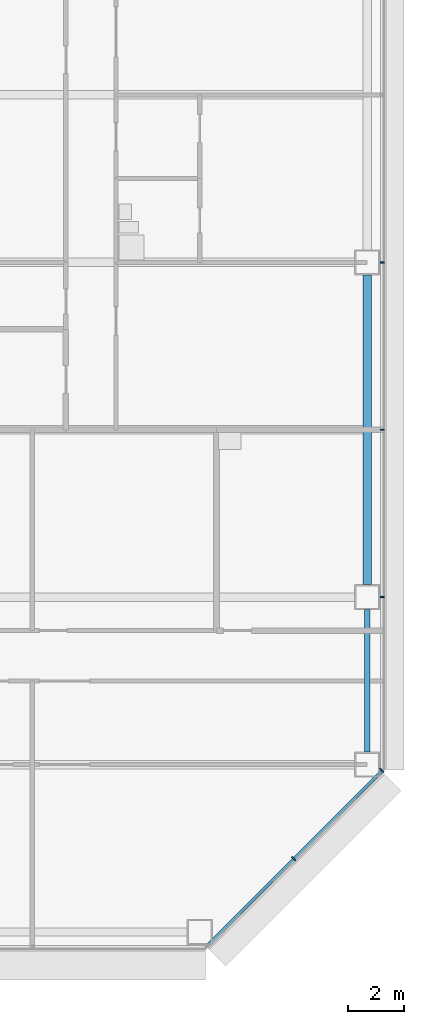
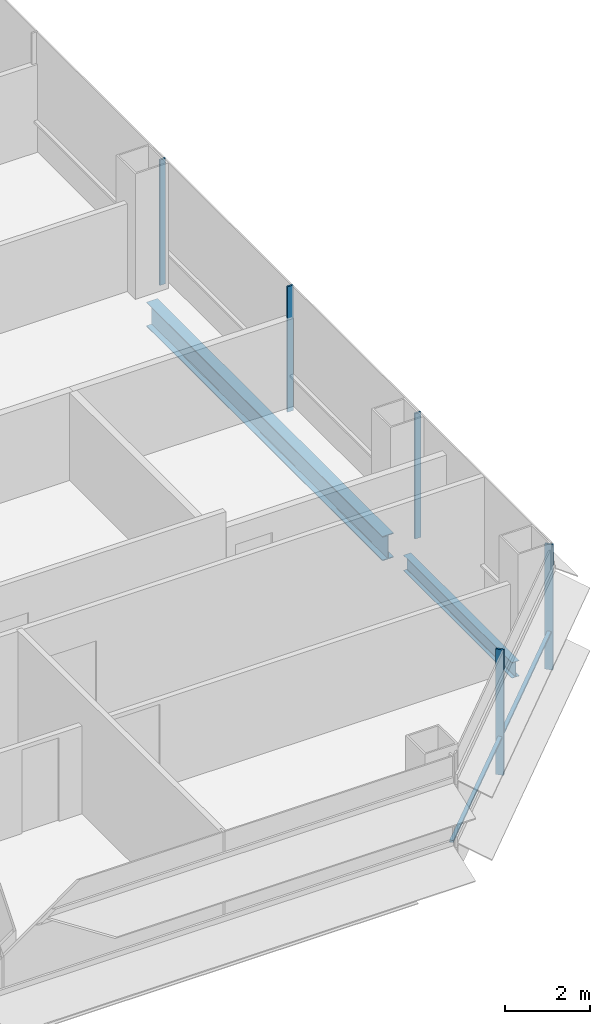
# One storey, part 16 of 27: 6 members, 2 beams, 2 elements without a shape of their own.
"""IFC4 building model written with IfcOpenShell, lengths in metres."""

from ifc_helpers import new_model, si_unit, direction, frame, origin, origin_2d, place, context, subcontext, project, spatial, rectangle, i_section, extrude, material, material_profile, profile_set, type_object, element, aggregate, save


model = new_model("IFC4")

# Units and contexts
model_context = context("Model", 3, precision=1e-05, world=origin(), true_north=direction((0.0, 1.0)))
body_context = subcontext(model_context, "Body", "Model", "MODEL_VIEW")
ifc_project = project(units=[si_unit("LENGTHUNIT", "METRE"), si_unit("AREAUNIT", "SQUARE_METRE"), si_unit("VOLUMEUNIT", "CUBIC_METRE"), si_unit("PLANEANGLEUNIT", "RADIAN"), si_unit("MASSUNIT", "GRAM", prefix="KILO")], contexts=[model_context])

# Site, building, storey
site_placement = place(None, origin())
site = spatial("IfcSite", under=ifc_project, at=site_placement, CompositionType="ELEMENT")
building_placement = place(site_placement, origin())
building = spatial("IfcBuilding", under=site, at=building_placement, Name="Sorahane Residences", CompositionType="ELEMENT")
storey_placement = place(building_placement, frame((0.0, 0.0, 57.0)))
storey = spatial("IfcBuildingStorey", under=building, at=storey_placement, Name="L10", CompositionType="ELEMENT", Elevation=57.0)

# Curtain wall, members
ifc_material_1 = material(Name="Dark low-e glass and black anodised aluminium", Category="aluminium")
curtain_wall_type_1 = type_object("IfcCurtainWallType", Name="Curtain wall CW-1 Typical unitised wall", PredefinedType="NOTDEFINED", material=ifc_material_1)
curtain_wall_1_placement = place(storey_placement, origin())
curtain_wall_1 = element("IfcCurtainWall", 1, at=curtain_wall_1_placement, inside=storey, type_object=curtain_wall_type_1, Name="CW-1 curtain wall L10 E1", PredefinedType="NOTDEFINED")
ifc_material_2 = material(Name="Black anodised aluminium", Category="aluminium")
ifc_material_profile_1 = material_profile(ifc_material_2, rectangle(XDim=0.159912109375, YDim=0.050048828125, at=origin_2d()), Name="Curtain wall mullion CW-1 black anodised aluminium 50x160")
ifc_profile_set_1 = profile_set([ifc_material_profile_1], Name="Black anodised aluminium")
member_type_1 = type_object("IfcMemberType", Name="Curtain wall mullion CW-1 black anodised aluminium 50x160", PredefinedType="MULLION", material=ifc_profile_set_1)
member_1_placement = place(storey_placement, frame((66.5400390625, 12.0, -0.179931640625), z_axis=(0.0, 0.0, 1.0), x_axis=(1.0, 0.0, 0.0)))
member_1 = element("IfcMember", 2, at=member_1_placement, type_object=member_type_1, Name="CW-1 mullion L10 E1.2", PredefinedType="MULLION", context=body_context, shape_type="SweptSolid", body=[
    extrude(rectangle(XDim=0.159912109375, YDim=0.050048828125, at=origin_2d()), origin(), (0.0, 0.0, 1.0), 3.599853515625),
])
member_2_placement = place(storey_placement, frame((66.5400390625, 18.0, -0.179931640625), z_axis=(0.0, 0.0, 1.0), x_axis=(1.0, 0.0, 0.0)))
member_2 = element("IfcMember", 3, at=member_2_placement, type_object=member_type_1, Name="CW-1 mullion L10 E1.3", PredefinedType="MULLION", context=body_context, shape_type="SweptSolid", body=[
    extrude(rectangle(XDim=0.159912109375, YDim=0.050048828125, at=origin_2d()), origin(), (0.0, 0.0, 1.0), 3.599853515625),
])
member_3_placement = place(storey_placement, frame((66.5400390625, 24.0, -0.179931640625), z_axis=(0.0, 0.0, 1.0), x_axis=(1.0, 0.0, 0.0)))
member_3 = element("IfcMember", 4, at=member_3_placement, type_object=member_type_1, Name="CW-1 mullion L10 E1.4", PredefinedType="MULLION", context=body_context, shape_type="SweptSolid", body=[
    extrude(rectangle(XDim=0.159912109375, YDim=0.050048828125, at=origin_2d()), origin(), (0.0, 0.0, 1.0), 3.599853515625),
])
aggregate(curtain_wall_1, [member_1, member_2, member_3])

ifc_material_3 = material(Name="Dark low-e glass and black anodised aluminium", Category="aluminium")
curtain_wall_type_2 = type_object("IfcCurtainWallType", Name="Curtain wall CW-2 Chamfer unitised wall", PredefinedType="NOTDEFINED", material=ifc_material_3)
curtain_wall_2_placement = place(storey_placement, origin())
curtain_wall_2 = element("IfcCurtainWall", 5, at=curtain_wall_2_placement, inside=storey, type_object=curtain_wall_type_2, Name="CW-2 curtain wall L10 SE1", PredefinedType="NOTDEFINED")
ifc_material_4 = material(Name="Black anodised aluminium", Category="aluminium")
ifc_material_profile_2 = material_profile(ifc_material_4, rectangle(XDim=0.199951171875, YDim=0.050048828125, at=origin_2d()), Name="Curtain wall mullion CW-2 black anodised aluminium 50x200")
ifc_profile_set_2 = profile_set([ifc_material_profile_2], Name="Black anodised aluminium")
member_type_2 = type_object("IfcMemberType", Name="Curtain wall mullion CW-2 black anodised aluminium 50x200", PredefinedType="MULLION", material=ifc_profile_set_2)
member_4_placement = place(storey_placement, frame((63.36767578125, 2.63232421875, -0.179931640625), z_axis=(0.0, 0.0, 1.0), x_axis=(0.707106781187, -0.707106781187, 0.0)))
member_4 = element("IfcMember", 6, at=member_4_placement, type_object=member_type_2, Name="CW-2 mullion L10 SE1.2", PredefinedType="MULLION", context=body_context, shape_type="SweptSolid", body=[
    extrude(rectangle(XDim=0.199951171875, YDim=0.050048828125, at=origin_2d()), origin(), (0.0, 0.0, 1.0), 3.599853515625),
])
member_5_placement = place(storey_placement, frame((66.525634765625, 5.790283203125, -0.179931640625), z_axis=(0.0, 0.0, 1.0), x_axis=(0.707106781187, -0.707106781187, 0.0)))
member_5 = element("IfcMember", 7, at=member_5_placement, type_object=member_type_2, Name="CW-2 mullion L10 SE1.3", PredefinedType="MULLION", context=body_context, shape_type="SweptSolid", body=[
    extrude(rectangle(XDim=0.199951171875, YDim=0.050048828125, at=origin_2d()), origin(), (0.0, 0.0, 1.0), 3.599853515625),
])
ifc_material_5 = material(Name="Black anodised aluminium", Category="aluminium")
ifc_material_profile_3 = material_profile(ifc_material_5, rectangle(XDim=0.10009765625, YDim=0.06005859375, at=origin_2d()), Name="Curtain wall transom CW-2 black anodised aluminium 60x100")
ifc_profile_set_3 = profile_set([ifc_material_profile_3], Name="Black anodised aluminium")
member_type_3 = type_object("IfcMemberType", Name="Curtain wall transom CW-2 black anodised aluminium 60x100", PredefinedType="USERDEFINED", material=ifc_profile_set_3)
member_6_placement = place(storey_placement, frame((60.234375, -0.51513671875, 0.89990234375), z_axis=(0.707106781187, 0.707106781187, 0.0), x_axis=(-0.707106781187, 0.707106781187, 0.0)))
member_6 = element("IfcMember", 8, at=member_6_placement, type_object=member_type_3, Name="CW-2 transom L10 SE1", ObjectType="TRANSOM", PredefinedType="USERDEFINED", context=body_context, shape_type="SweptSolid", body=[
    extrude(rectangle(XDim=0.10009765625, YDim=0.06005859375, at=origin_2d()), origin(), (0.0, 0.0, 1.0), 8.88232421875),
])
aggregate(curtain_wall_2, [member_4, member_5, member_6])

# Beams
ifc_material_6 = material(Name="Steel Q355B", Category="steel")
ifc_material_profile_4 = material_profile(ifc_material_6, i_section(OverallWidth=0.199951171875, OverallDepth=0.449951171875, WebThickness=0.009033203125, FlangeThickness=0.013916015625, FilletRadius=0.02001953125, at=origin_2d()), Name="HN 450x200x9x14")
ifc_profile_set_4 = profile_set([ifc_material_profile_4], Name="Steel Q355B")
beam_type_1 = type_object("IfcBeamType", Name="Steel floor beam HN 450x200x9x14 Q355B", PredefinedType="BEAM", material=ifc_profile_set_4)
beam_1_placement = place(storey_placement, frame((66.0, 6.449951171875, -0.405029296875), z_axis=(0.0, 1.0, 0.0), x_axis=(-1.0, 0.0, 0.0)))
element("IfcBeam", 9, at=beam_1_placement, inside=storey, type_object=beam_type_1, Name="Beam L10 057", PredefinedType="BEAM", context=body_context, shape_type="SweptSolid", body=[
    extrude(i_section(OverallWidth=0.199951171875, OverallDepth=0.449951171875, WebThickness=0.009033203125, FlangeThickness=0.013916015625, FilletRadius=0.02001953125, at=origin_2d()), origin(), (0.0, 0.0, 1.0), 5.10009765625),
])
ifc_material_7 = material(Name="Steel Q355B", Category="steel")
ifc_material_profile_5 = material_profile(ifc_material_7, i_section(OverallWidth=0.300048828125, OverallDepth=0.699951171875, WebThickness=0.012939453125, FlangeThickness=0.02392578125, FilletRadius=0.028076171875, at=origin_2d()), Name="HN 700x300x13x24")
ifc_profile_set_5 = profile_set([ifc_material_profile_5], Name="Steel Q355B")
beam_type_2 = type_object("IfcBeamType", Name="Steel floor beam HN 700x300x13x24 Q355B", PredefinedType="BEAM", material=ifc_profile_set_5)
beam_2_placement = place(storey_placement, frame((66.0, 12.449951171875, -0.530029296875), z_axis=(0.0, 1.0, 0.0), x_axis=(-1.0, 0.0, 0.0)))
element("IfcBeam", 10, at=beam_2_placement, inside=storey, type_object=beam_type_2, Name="Beam L10 058", PredefinedType="BEAM", context=body_context, shape_type="SweptSolid", body=[
    extrude(i_section(OverallWidth=0.300048828125, OverallDepth=0.699951171875, WebThickness=0.012939453125, FlangeThickness=0.02392578125, FilletRadius=0.028076171875, at=origin_2d()), origin(), (0.0, 0.0, 1.0), 11.10009765625),
])

save(model, "model.ifc")
